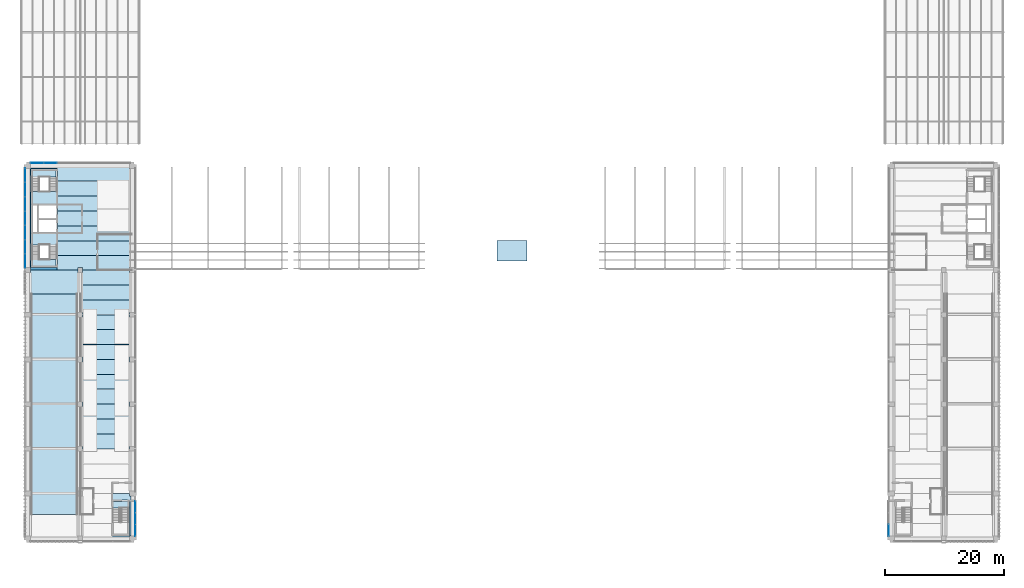
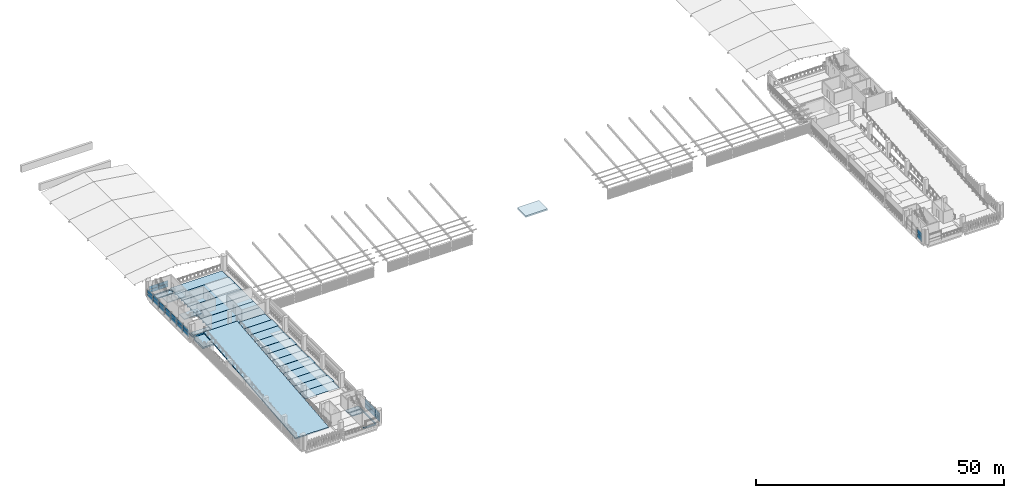
# One storey, part 21 of 52: 29 slabs, 26 plates, 6 elements without a shape of their own.
"""IFC4 building model written with IfcOpenShell, lengths in metres."""

from ifc_helpers import new_model, si_unit, direction, frame, origin, origin_2d, place, context, subcontext, project, spatial, polyline, rectangle, outline, extrude, material, layer, layer_set, material_profile, profile_set, type_object, element, aggregate, save


model = new_model("IFC4")

# Units and contexts
model_context = context("Model", 3, precision=1e-05, world=origin(), true_north=direction((0.0, 1.0)))
body_context = subcontext(model_context, "Body", "Model", "MODEL_VIEW")
ifc_project = project(units=[si_unit("LENGTHUNIT", "METRE"), si_unit("AREAUNIT", "SQUARE_METRE"), si_unit("VOLUMEUNIT", "CUBIC_METRE"), si_unit("PLANEANGLEUNIT", "RADIAN"), si_unit("MASSUNIT", "GRAM", prefix="KILO")], contexts=[model_context])

# Site, building, storey
site_placement = place(None, origin())
site = spatial("IfcSite", under=ifc_project, at=site_placement, CompositionType="ELEMENT")
building_placement = place(site_placement, origin())
building = spatial("IfcBuilding", under=site, at=building_placement, Name="Cour d'Honneur Mobility Palace", CompositionType="ELEMENT")
storey_placement = place(building_placement, frame((0.0, 0.0, 23.0)))
storey = spatial("IfcBuildingStorey", under=building, at=storey_placement, Name="L06", CompositionType="ELEMENT", Elevation=23.0)

# Slabs
ifc_material_1 = material(Name="Concrete C50", Category="concrete")
ifc_layer_1 = layer(ifc_material_1, 0.25)
ifc_layer_set_1 = layer_set([ifc_layer_1], Name="Concrete C50")
slab_type_1 = type_object("IfcSlabType", Name="Cast-in-place Slab 250", PredefinedType="FLOOR", material=ifc_layer_set_1)
slab_1_placement = place(storey_placement, frame((0.0, 0.0, -0.25)))
element("IfcSlab", 1, at=slab_1_placement, inside=storey, type_object=slab_type_1, Name="Cast-in-place slab S1 L06 core", PredefinedType="FLOOR", context=body_context, shape_type="SweptSolid", body=[
    extrude(outline(polyline([(0.39990234375, 45.39990234375), (0.25, 45.39990234375), (0.25, 62.0), (0.39990234375, 62.0), (0.39990234375, 62.125), (4.800048828125, 62.125), (4.800048828125, 61.949951171875), (0.449951171875, 61.949951171875), (0.449951171875, 45.449951171875), (4.800048828125, 45.449951171875), (4.800048828125, 45.0), (0.39990234375, 45.0), (0.39990234375, 45.39990234375)])), origin(), (0.0, 0.0, 1.0), 0.25),
])
slab_2_placement = place(storey_placement, frame((0.0, 0.0, -0.25)))
element("IfcSlab", 2, at=slab_2_placement, inside=storey, type_object=slab_type_1, Name="Cast-in-place slab S1 L06 core", PredefinedType="FLOOR", context=body_context, shape_type="SweptSolid", body=[
    extrude(outline(polyline([(0.699951171875, 45.699951171875), (0.699951171875, 46.77490234375), (4.675048828125, 46.77490234375), (4.675048828125, 45.699951171875), (0.699951171875, 45.699951171875)])), origin(), (0.0, 0.0, 1.0), 0.25),
])
slab_3_placement = place(storey_placement, frame((0.0, 0.0, -0.25)))
element("IfcSlab", 3, at=slab_3_placement, inside=storey, type_object=slab_type_1, Name="Cast-in-place slab S1 L06 core", PredefinedType="FLOOR", context=body_context, shape_type="SweptSolid", body=[
    extrude(outline(polyline([(4.675048828125, 60.625), (0.699951171875, 60.625), (0.699951171875, 61.699951171875), (4.675048828125, 61.699951171875), (4.675048828125, 60.625)])), origin(), (0.0, 0.0, 1.0), 0.25),
])
slab_4_placement = place(storey_placement, frame((0.0, 0.0, -0.25)))
element("IfcSlab", 4, at=slab_4_placement, inside=storey, type_object=slab_type_1, Name="Cast-in-place slab S1 L06 stair strip", PredefinedType="FLOOR", context=body_context, shape_type="SweptSolid", body=[
    extrude(outline(polyline([(17.0, 7.10009765625), (17.199951171875, 7.10009765625), (17.199951171875, 0.39990234375), (17.0, 0.39990234375), (17.0, 0.22509765625), (14.10009765625, 0.22509765625), (14.10009765625, 0.449951171875), (16.949951171875, 0.449951171875), (16.949951171875, 6.425048828125), (14.10009765625, 6.425048828125), (14.10009765625, 7.5), (17.0, 7.5), (17.0, 7.10009765625)])), origin(), (0.0, 0.0, 1.0), 0.25),
])
slab_5_placement = place(storey_placement, frame((0.0, 0.0, -0.25)))
element("IfcSlab", 5, at=slab_5_placement, inside=storey, type_object=slab_type_1, Name="Cast-in-place slab S1 L06 stair strip", PredefinedType="FLOOR", context=body_context, shape_type="SweptSolid", body=[
    extrude(outline(polyline([(14.22509765625, 5.10009765625), (14.22509765625, 6.175048828125), (16.699951171875, 6.175048828125), (16.699951171875, 5.10009765625), (14.22509765625, 5.10009765625)])), origin(), (0.0, 0.0, 1.0), 0.25),
])
ifc_material_2 = material(Name="Concrete C50", Category="concrete")
ifc_layer_2 = layer(ifc_material_2, 0.39990234375)
ifc_layer_set_2 = layer_set([ifc_layer_2], Name="Concrete C50")
slab_type_2 = type_object("IfcSlabType", Name="Cast-in-place Slab 400", PredefinedType="LANDING", material=ifc_layer_set_2)
slab_6_placement = place(storey_placement, frame((0.0, 0.0, -0.39990234375)))
element("IfcSlab", 6, at=slab_6_placement, inside=storey, type_object=slab_type_2, Name="Cast-in-place slab S3 L06 landing", PredefinedType="LANDING", context=body_context, shape_type="SweptSolid", body=[
    extrude(outline(polyline([(8.5, 44.60009765625), (8.5, 41.0), (0.199951171875, 41.0), (0.199951171875, 44.60009765625), (0.39990234375, 44.60009765625), (0.39990234375, 45.0), (8.300048828125, 45.0), (8.300048828125, 44.60009765625), (8.5, 44.60009765625)])), origin(), (0.0, 0.0, 1.0), 0.39990234375),
])
ifc_material_3 = material(Name="Concrete C50", Category="concrete")
ifc_layer_3 = layer(ifc_material_3, 0.800048828125)
ifc_layer_set_3 = layer_set([ifc_layer_3], Name="Concrete C50")
slab_type_3 = type_object("IfcSlabType", Name="Cast-in-place Slab 800", PredefinedType="FLOOR", material=ifc_layer_set_3)
slab_7_placement = place(storey_placement, frame((0.0, 0.0, -0.800048828125)))
element("IfcSlab", 7, at=slab_7_placement, inside=storey, type_object=slab_type_3, Name="Cast-in-place slab S2 L06 closure", PredefinedType="FLOOR", context=body_context, shape_type="SweptSolid", body=[
    extrude(outline(polyline([(17.0, 45.39990234375), (17.0, 45.0), (9.10009765625, 45.0), (9.10009765625, 45.39990234375), (8.300048828125, 45.39990234375), (8.300048828125, 45.0), (4.800048828125, 45.0), (4.800048828125, 45.449951171875), (4.925048828125, 45.449951171875), (4.925048828125, 47.39990234375), (17.14990234375, 47.39990234375), (17.14990234375, 45.39990234375), (17.0, 45.39990234375)])), origin(), (0.0, 0.0, 1.0), 0.800048828125),
])

# Curtain wall, plates
ifc_material_4 = material(Name="Aluminium and glass", Category="aluminium")
ifc_layer_4 = layer(ifc_material_4, 0.10009765625)
ifc_layer_set_4 = layer_set([ifc_layer_4], Name="Aluminium and glass")
curtain_wall_type = type_object("IfcCurtainWallType", Name="Curtain wall run", PredefinedType="NOTDEFINED", material=ifc_layer_set_4)
curtain_wall_1_placement = place(storey_placement, origin())
curtain_wall_1 = element("IfcCurtainWall", 8, at=curtain_wall_1_placement, inside=storey, type_object=curtain_wall_type, Name="Curtain wall CW-106", PredefinedType="NOTDEFINED")
ifc_material_5 = material(Name="Double glazing", Category="glass")
ifc_layer_5 = layer(ifc_material_5, 0.028076171875)
ifc_layer_set_5 = layer_set([ifc_layer_5], Name="Double glazing")
plate_type = type_object("IfcPlateType", Name="Curtain wall panel", PredefinedType="CURTAIN_PANEL", material=ifc_layer_set_5)
plate_1_placement = place(storey_placement, frame((3.659912109375, 62.949951171875, 0.06005859375), z_axis=(0.0, 0.0, 1.0), x_axis=(-1.0, 0.0, 0.0)))
plate_1 = element("IfcPlate", 9, at=plate_1_placement, type_object=plate_type, Name="CW-106 panel 1.1", PredefinedType="CURTAIN_PANEL", context=body_context, shape_type="SweptSolid", body=[
    extrude(rectangle(XDim=2.159912109375, YDim=0.028076171875, at=origin_2d()), origin(), (0.0, 0.0, 1.0), 0.760009765625),
])
plate_2_placement = place(storey_placement, frame((3.659912109375, 62.949951171875, 0.8798828125), z_axis=(0.0, 0.0, 1.0), x_axis=(-1.0, 0.0, 0.0)))
plate_2 = element("IfcPlate", 10, at=plate_2_placement, type_object=plate_type, Name="CW-106 panel 1.2", PredefinedType="CURTAIN_PANEL", context=body_context, shape_type="SweptSolid", body=[
    extrude(rectangle(XDim=2.159912109375, YDim=0.028076171875, at=origin_2d()), origin(), (0.0, 0.0, 1.0), 0.760009765625),
])
plate_3_placement = place(storey_placement, frame((1.43994140625, 62.949951171875, 0.06005859375), z_axis=(0.0, 0.0, 1.0), x_axis=(-1.0, 0.0, 0.0)))
plate_3 = element("IfcPlate", 11, at=plate_3_placement, type_object=plate_type, Name="CW-106 panel 2.1", PredefinedType="CURTAIN_PANEL", context=body_context, shape_type="SweptSolid", body=[
    extrude(rectangle(XDim=2.159912109375, YDim=0.028076171875, at=origin_2d()), origin(), (0.0, 0.0, 1.0), 0.760009765625),
])
plate_4_placement = place(storey_placement, frame((1.43994140625, 62.949951171875, 0.8798828125), z_axis=(0.0, 0.0, 1.0), x_axis=(-1.0, 0.0, 0.0)))
plate_4 = element("IfcPlate", 12, at=plate_4_placement, type_object=plate_type, Name="CW-106 panel 2.2", PredefinedType="CURTAIN_PANEL", context=body_context, shape_type="SweptSolid", body=[
    extrude(rectangle(XDim=2.159912109375, YDim=0.028076171875, at=origin_2d()), origin(), (0.0, 0.0, 1.0), 0.760009765625),
])
aggregate(curtain_wall_1, [plate_1, plate_2, plate_3, plate_4])

curtain_wall_2_placement = place(storey_placement, origin())
curtain_wall_2 = element("IfcCurtainWall", 13, at=curtain_wall_2_placement, inside=storey, type_object=curtain_wall_type, Name="Curtain wall CW-107", PredefinedType="NOTDEFINED")
plate_5_placement = place(storey_placement, frame((-0.550048828125, 60.885009765625, 0.06005859375), z_axis=(0.0, 0.0, 1.0), x_axis=(0.0, -1.0, 0.0)))
plate_5 = element("IfcPlate", 14, at=plate_5_placement, type_object=plate_type, Name="CW-107 panel 1.1", PredefinedType="CURTAIN_PANEL", context=body_context, shape_type="SweptSolid", body=[
    extrude(rectangle(XDim=2.31005859375, YDim=0.028076171875, at=origin_2d()), origin(), (0.0, 0.0, 1.0), 0.860107421875),
])
plate_6_placement = place(storey_placement, frame((-0.550048828125, 60.885009765625, 0.97998046875), z_axis=(0.0, 0.0, 1.0), x_axis=(0.0, -1.0, 0.0)))
plate_6 = element("IfcPlate", 15, at=plate_6_placement, type_object=plate_type, Name="CW-107 panel 1.2", PredefinedType="CURTAIN_PANEL", context=body_context, shape_type="SweptSolid", body=[
    extrude(rectangle(XDim=2.31005859375, YDim=0.028076171875, at=origin_2d()), origin(), (0.0, 0.0, 1.0), 0.860107421875),
])
plate_7_placement = place(storey_placement, frame((-0.550048828125, 58.5, 0.06005859375), z_axis=(0.0, 0.0, 1.0), x_axis=(0.0, -1.0, 0.0)))
plate_7 = element("IfcPlate", 16, at=plate_7_placement, type_object=plate_type, Name="CW-107 panel 2.1", PredefinedType="CURTAIN_PANEL", context=body_context, shape_type="SweptSolid", body=[
    extrude(rectangle(XDim=2.340087890625, YDim=0.028076171875, at=origin_2d()), origin(), (0.0, 0.0, 1.0), 0.860107421875),
])
plate_8_placement = place(storey_placement, frame((-0.550048828125, 58.5, 0.97998046875), z_axis=(0.0, 0.0, 1.0), x_axis=(0.0, -1.0, 0.0)))
plate_8 = element("IfcPlate", 17, at=plate_8_placement, type_object=plate_type, Name="CW-107 panel 2.2", PredefinedType="CURTAIN_PANEL", context=body_context, shape_type="SweptSolid", body=[
    extrude(rectangle(XDim=2.340087890625, YDim=0.028076171875, at=origin_2d()), origin(), (0.0, 0.0, 1.0), 0.860107421875),
])
plate_9_placement = place(storey_placement, frame((-0.550048828125, 56.10009765625, 0.06005859375), z_axis=(0.0, 0.0, 1.0), x_axis=(0.0, -1.0, 0.0)))
plate_9 = element("IfcPlate", 18, at=plate_9_placement, type_object=plate_type, Name="CW-107 panel 3.1", PredefinedType="CURTAIN_PANEL", context=body_context, shape_type="SweptSolid", body=[
    extrude(rectangle(XDim=2.340087890625, YDim=0.028076171875, at=origin_2d()), origin(), (0.0, 0.0, 1.0), 0.860107421875),
])
plate_10_placement = place(storey_placement, frame((-0.550048828125, 56.10009765625, 0.97998046875), z_axis=(0.0, 0.0, 1.0), x_axis=(0.0, -1.0, 0.0)))
plate_10 = element("IfcPlate", 19, at=plate_10_placement, type_object=plate_type, Name="CW-107 panel 3.2", PredefinedType="CURTAIN_PANEL", context=body_context, shape_type="SweptSolid", body=[
    extrude(rectangle(XDim=2.340087890625, YDim=0.028076171875, at=origin_2d()), origin(), (0.0, 0.0, 1.0), 0.860107421875),
])
plate_11_placement = place(storey_placement, frame((-0.550048828125, 53.699951171875, 0.06005859375), z_axis=(0.0, 0.0, 1.0), x_axis=(0.0, -1.0, 0.0)))
plate_11 = element("IfcPlate", 20, at=plate_11_placement, type_object=plate_type, Name="CW-107 panel 4.1", PredefinedType="CURTAIN_PANEL", context=body_context, shape_type="SweptSolid", body=[
    extrude(rectangle(XDim=2.340087890625, YDim=0.028076171875, at=origin_2d()), origin(), (0.0, 0.0, 1.0), 0.860107421875),
])
plate_12_placement = place(storey_placement, frame((-0.550048828125, 53.699951171875, 0.97998046875), z_axis=(0.0, 0.0, 1.0), x_axis=(0.0, -1.0, 0.0)))
plate_12 = element("IfcPlate", 21, at=plate_12_placement, type_object=plate_type, Name="CW-107 panel 4.2", PredefinedType="CURTAIN_PANEL", context=body_context, shape_type="SweptSolid", body=[
    extrude(rectangle(XDim=2.340087890625, YDim=0.028076171875, at=origin_2d()), origin(), (0.0, 0.0, 1.0), 0.860107421875),
])
plate_13_placement = place(storey_placement, frame((-0.550048828125, 51.300048828125, 0.06005859375), z_axis=(0.0, 0.0, 1.0), x_axis=(0.0, -1.0, 0.0)))
plate_13 = element("IfcPlate", 22, at=plate_13_placement, type_object=plate_type, Name="CW-107 panel 5.1", PredefinedType="CURTAIN_PANEL", context=body_context, shape_type="SweptSolid", body=[
    extrude(rectangle(XDim=2.340087890625, YDim=0.028076171875, at=origin_2d()), origin(), (0.0, 0.0, 1.0), 0.860107421875),
])
plate_14_placement = place(storey_placement, frame((-0.550048828125, 51.300048828125, 0.97998046875), z_axis=(0.0, 0.0, 1.0), x_axis=(0.0, -1.0, 0.0)))
plate_14 = element("IfcPlate", 23, at=plate_14_placement, type_object=plate_type, Name="CW-107 panel 5.2", PredefinedType="CURTAIN_PANEL", context=body_context, shape_type="SweptSolid", body=[
    extrude(rectangle(XDim=2.340087890625, YDim=0.028076171875, at=origin_2d()), origin(), (0.0, 0.0, 1.0), 0.860107421875),
])
plate_15_placement = place(storey_placement, frame((-0.550048828125, 48.89990234375, 0.06005859375), z_axis=(0.0, 0.0, 1.0), x_axis=(0.0, -1.0, 0.0)))
plate_15 = element("IfcPlate", 24, at=plate_15_placement, type_object=plate_type, Name="CW-107 panel 6.1", PredefinedType="CURTAIN_PANEL", context=body_context, shape_type="SweptSolid", body=[
    extrude(rectangle(XDim=2.340087890625, YDim=0.028076171875, at=origin_2d()), origin(), (0.0, 0.0, 1.0), 0.860107421875),
])
plate_16_placement = place(storey_placement, frame((-0.550048828125, 48.89990234375, 0.97998046875), z_axis=(0.0, 0.0, 1.0), x_axis=(0.0, -1.0, 0.0)))
plate_16 = element("IfcPlate", 25, at=plate_16_placement, type_object=plate_type, Name="CW-107 panel 6.2", PredefinedType="CURTAIN_PANEL", context=body_context, shape_type="SweptSolid", body=[
    extrude(rectangle(XDim=2.340087890625, YDim=0.028076171875, at=origin_2d()), origin(), (0.0, 0.0, 1.0), 0.860107421875),
])
plate_17_placement = place(storey_placement, frame((-0.550048828125, 46.514892578125, 0.06005859375), z_axis=(0.0, 0.0, 1.0), x_axis=(0.0, -1.0, 0.0)))
plate_17 = element("IfcPlate", 26, at=plate_17_placement, type_object=plate_type, Name="CW-107 panel 7.1", PredefinedType="CURTAIN_PANEL", context=body_context, shape_type="SweptSolid", body=[
    extrude(rectangle(XDim=2.31005859375, YDim=0.028076171875, at=origin_2d()), origin(), (0.0, 0.0, 1.0), 0.860107421875),
])
plate_18_placement = place(storey_placement, frame((-0.550048828125, 46.514892578125, 0.97998046875), z_axis=(0.0, 0.0, 1.0), x_axis=(0.0, -1.0, 0.0)))
plate_18 = element("IfcPlate", 27, at=plate_18_placement, type_object=plate_type, Name="CW-107 panel 7.2", PredefinedType="CURTAIN_PANEL", context=body_context, shape_type="SweptSolid", body=[
    extrude(rectangle(XDim=2.31005859375, YDim=0.028076171875, at=origin_2d()), origin(), (0.0, 0.0, 1.0), 0.860107421875),
])
aggregate(curtain_wall_2, [plate_5, plate_6, plate_7, plate_8, plate_9, plate_10, plate_11, plate_12, plate_13, plate_14, plate_15, plate_16, plate_17, plate_18])

curtain_wall_3_placement = place(storey_placement, origin())
curtain_wall_3 = element("IfcCurtainWall", 28, at=curtain_wall_3_placement, inside=storey, type_object=curtain_wall_type, Name="Curtain wall CW-146", PredefinedType="NOTDEFINED")
plate_19_placement = place(storey_placement, frame((144.35009765625, 1.31494140625, 0.06005859375), z_axis=(0.0, 0.0, 1.0), x_axis=(0.0, -1.0, 0.0)))
plate_19 = element("IfcPlate", 29, at=plate_19_placement, type_object=plate_type, Name="CW-146 panel 3.1", PredefinedType="CURTAIN_PANEL", context=body_context, shape_type="SweptSolid", body=[
    extrude(rectangle(XDim=1.909912109375, YDim=0.028076171875, at=origin_2d()), origin(), (0.0, 0.0, 1.0), 1.06005859375),
])
plate_20_placement = place(storey_placement, frame((144.35009765625, 1.31494140625, 1.179931640625), z_axis=(0.0, 0.0, 1.0), x_axis=(0.0, -1.0, 0.0)))
plate_20 = element("IfcPlate", 30, at=plate_20_placement, type_object=plate_type, Name="CW-146 panel 3.2", PredefinedType="CURTAIN_PANEL", context=body_context, shape_type="SweptSolid", body=[
    extrude(rectangle(XDim=1.909912109375, YDim=0.028076171875, at=origin_2d()), origin(), (0.0, 0.0, 1.0), 1.06005859375),
])
aggregate(curtain_wall_3, [plate_19, plate_20])

curtain_wall_4_placement = place(storey_placement, origin())
curtain_wall_4 = element("IfcCurtainWall", 31, at=curtain_wall_4_placement, inside=storey, type_object=curtain_wall_type, Name="Curtain wall CW-164", PredefinedType="NOTDEFINED")
plate_21_placement = place(storey_placement, frame((17.949951171875, 1.31494140625, 0.06005859375), z_axis=(0.0, 0.0, 1.0), x_axis=(0.0, 1.0, 0.0)))
plate_21 = element("IfcPlate", 32, at=plate_21_placement, type_object=plate_type, Name="CW-164 panel 1.1", PredefinedType="CURTAIN_PANEL", context=body_context, shape_type="SweptSolid", body=[
    extrude(rectangle(XDim=1.909912109375, YDim=0.028076171875, at=origin_2d()), origin(), (0.0, 0.0, 1.0), 1.06005859375),
])
plate_22_placement = place(storey_placement, frame((17.949951171875, 1.31494140625, 1.179931640625), z_axis=(0.0, 0.0, 1.0), x_axis=(0.0, 1.0, 0.0)))
plate_22 = element("IfcPlate", 33, at=plate_22_placement, type_object=plate_type, Name="CW-164 panel 1.2", PredefinedType="CURTAIN_PANEL", context=body_context, shape_type="SweptSolid", body=[
    extrude(rectangle(XDim=1.909912109375, YDim=0.028076171875, at=origin_2d()), origin(), (0.0, 0.0, 1.0), 1.06005859375),
])
plate_23_placement = place(storey_placement, frame((17.949951171875, 3.300048828125, 0.06005859375), z_axis=(0.0, 0.0, 1.0), x_axis=(0.0, 1.0, 0.0)))
plate_23 = element("IfcPlate", 34, at=plate_23_placement, type_object=plate_type, Name="CW-164 panel 2.1", PredefinedType="CURTAIN_PANEL", context=body_context, shape_type="SweptSolid", body=[
    extrude(rectangle(XDim=1.93994140625, YDim=0.028076171875, at=origin_2d()), origin(), (0.0, 0.0, 1.0), 1.06005859375),
])
plate_24_placement = place(storey_placement, frame((17.949951171875, 3.300048828125, 1.179931640625), z_axis=(0.0, 0.0, 1.0), x_axis=(0.0, 1.0, 0.0)))
plate_24 = element("IfcPlate", 35, at=plate_24_placement, type_object=plate_type, Name="CW-164 panel 2.2", PredefinedType="CURTAIN_PANEL", context=body_context, shape_type="SweptSolid", body=[
    extrude(rectangle(XDim=1.93994140625, YDim=0.028076171875, at=origin_2d()), origin(), (0.0, 0.0, 1.0), 1.06005859375),
])
plate_25_placement = place(storey_placement, frame((17.949951171875, 5.284912109375, 0.06005859375), z_axis=(0.0, 0.0, 1.0), x_axis=(0.0, 1.0, 0.0)))
plate_25 = element("IfcPlate", 36, at=plate_25_placement, type_object=plate_type, Name="CW-164 panel 3.1", PredefinedType="CURTAIN_PANEL", context=body_context, shape_type="SweptSolid", body=[
    extrude(rectangle(XDim=1.909912109375, YDim=0.028076171875, at=origin_2d()), origin(), (0.0, 0.0, 1.0), 1.06005859375),
])
plate_26_placement = place(storey_placement, frame((17.949951171875, 5.284912109375, 1.179931640625), z_axis=(0.0, 0.0, 1.0), x_axis=(0.0, 1.0, 0.0)))
plate_26 = element("IfcPlate", 37, at=plate_26_placement, type_object=plate_type, Name="CW-164 panel 3.2", PredefinedType="CURTAIN_PANEL", context=body_context, shape_type="SweptSolid", body=[
    extrude(rectangle(XDim=1.909912109375, YDim=0.028076171875, at=origin_2d()), origin(), (0.0, 0.0, 1.0), 1.06005859375),
])
aggregate(curtain_wall_4, [plate_21, plate_22, plate_23, plate_24, plate_25, plate_26])

# Slabs
ifc_material_6 = material(Name="Concrete C45", Category="concrete")
ifc_material_profile_1 = material_profile(ifc_material_6, outline(polyline([(-1.2451171875, 0.0), (1.2451171875, 0.0), (1.2451171875, -0.10009765625), (0.669921875, -0.10009765625), (0.64501953125, -0.5), (0.554931640625, -0.5), (0.530029296875, -0.10009765625), (-0.530029296875, -0.10009765625), (-0.554931640625, -0.5), (-0.64501953125, -0.5), (-0.669921875, -0.10009765625), (-1.2451171875, -0.10009765625), (-1.2451171875, 0.0)])), Name="DT 2490x500")
ifc_profile_set_1 = profile_set([ifc_material_profile_1], Name="Concrete C45")
slab_type_4 = type_object("IfcSlabType", Name="DT 2490x500", PredefinedType="FLOOR", material=ifc_profile_set_1)
slab_8_placement = place(storey_placement, frame((9.10009765625, 16.25, 0.0), z_axis=(1.0, 0.0, 0.0), x_axis=(0.0, 1.0, 0.0)))
element("IfcSlab", 38, at=slab_8_placement, inside=storey, type_object=slab_type_4, Name="Double tee DT-SW7 L06", PredefinedType="FLOOR", context=body_context, shape_type="SweptSolid", body=[
    extrude(outline(polyline([(-1.2451171875, 0.0), (1.2451171875, 0.0), (1.2451171875, -0.10009765625), (0.669921875, -0.10009765625), (0.64501953125, -0.5), (0.554931640625, -0.5), (0.530029296875, -0.10009765625), (-0.530029296875, -0.10009765625), (-0.554931640625, -0.5), (-0.64501953125, -0.5), (-0.669921875, -0.10009765625), (-1.2451171875, -0.10009765625), (-1.2451171875, 0.0)])), origin(), (0.0, 0.0, 1.0), 7.89990234375),
])
slab_9_placement = place(storey_placement, frame((8.89990234375, 18.75, 0.0), z_axis=(1.0, 0.0, 0.0), x_axis=(0.0, 1.0, 0.0)))
element("IfcSlab", 39, at=slab_9_placement, inside=storey, type_object=slab_type_4, Name="Double tee DT-SW8 L06", PredefinedType="FLOOR", context=body_context, shape_type="SweptSolid", body=[
    extrude(outline(polyline([(-1.2451171875, 0.0), (1.2451171875, 0.0), (1.2451171875, -0.10009765625), (0.669921875, -0.10009765625), (0.64501953125, -0.5), (0.554931640625, -0.5), (0.530029296875, -0.10009765625), (-0.530029296875, -0.10009765625), (-0.554931640625, -0.5), (-0.64501953125, -0.5), (-0.669921875, -0.10009765625), (-1.2451171875, -0.10009765625), (-1.2451171875, 0.0)])), origin(), (0.0, 0.0, 1.0), 8.300048828125),
])
for number, where, z_axis, x_axis, name in (
    (40, (9.10009765625, 21.25, 0.0), (1.0, 0.0, 0.0), (0.0, 1.0, 0.0), "Double tee DT-SW9 L06"),
    (41, (9.10009765625, 23.75, 0.0), (1.0, 0.0, 0.0), (0.0, 1.0, 0.0), "Double tee DT-SW10 L06"),
):
    element("IfcSlab", number, at=place(storey_placement, frame(where, z_axis=z_axis, x_axis=x_axis)), inside=storey, type_object=slab_type_4, Name=name, PredefinedType="FLOOR", context=body_context, shape_type="SweptSolid", body=[
        extrude(outline(polyline([(-1.2451171875, 0.0), (1.2451171875, 0.0), (1.2451171875, -0.10009765625), (0.669921875, -0.10009765625), (0.64501953125, -0.5), (0.554931640625, -0.5), (0.530029296875, -0.10009765625), (-0.530029296875, -0.10009765625), (-0.554931640625, -0.5), (-0.64501953125, -0.5), (-0.669921875, -0.10009765625), (-1.2451171875, -0.10009765625), (-1.2451171875, 0.0)])), origin(), (0.0, 0.0, 1.0), 7.89990234375),
    ])
slab_10_placement = place(storey_placement, frame((8.89990234375, 26.25, 0.0), z_axis=(1.0, 0.0, 0.0), x_axis=(0.0, 1.0, 0.0)))
element("IfcSlab", 42, at=slab_10_placement, inside=storey, type_object=slab_type_4, Name="Double tee DT-SW11 L06", PredefinedType="FLOOR", context=body_context, shape_type="SweptSolid", body=[
    extrude(outline(polyline([(-1.2451171875, 0.0), (1.2451171875, 0.0), (1.2451171875, -0.10009765625), (0.669921875, -0.10009765625), (0.64501953125, -0.5), (0.554931640625, -0.5), (0.530029296875, -0.10009765625), (-0.530029296875, -0.10009765625), (-0.554931640625, -0.5), (-0.64501953125, -0.5), (-0.669921875, -0.10009765625), (-1.2451171875, -0.10009765625), (-1.2451171875, 0.0)])), origin(), (0.0, 0.0, 1.0), 8.300048828125),
])
for number, where, z_axis, x_axis, name in (
    (43, (9.10009765625, 28.75, 0.0), (1.0, 0.0, 0.0), (0.0, 1.0, 0.0), "Double tee DT-SW12 L06"),
    (44, (9.10009765625, 31.25, 0.0), (1.0, 0.0, 0.0), (0.0, 1.0, 0.0), "Double tee DT-SW13 L06"),
):
    element("IfcSlab", number, at=place(storey_placement, frame(where, z_axis=z_axis, x_axis=x_axis)), inside=storey, type_object=slab_type_4, Name=name, PredefinedType="FLOOR", context=body_context, shape_type="SweptSolid", body=[
        extrude(outline(polyline([(-1.2451171875, 0.0), (1.2451171875, 0.0), (1.2451171875, -0.10009765625), (0.669921875, -0.10009765625), (0.64501953125, -0.5), (0.554931640625, -0.5), (0.530029296875, -0.10009765625), (-0.530029296875, -0.10009765625), (-0.554931640625, -0.5), (-0.64501953125, -0.5), (-0.669921875, -0.10009765625), (-1.2451171875, -0.10009765625), (-1.2451171875, 0.0)])), origin(), (0.0, 0.0, 1.0), 7.89990234375),
    ])
slab_11_placement = place(storey_placement, frame((8.89990234375, 33.75, 0.0), z_axis=(1.0, 0.0, 0.0), x_axis=(0.0, 1.0, 0.0)))
element("IfcSlab", 45, at=slab_11_placement, inside=storey, type_object=slab_type_4, Name="Double tee DT-SW14 L06", PredefinedType="FLOOR", context=body_context, shape_type="SweptSolid", body=[
    extrude(outline(polyline([(-1.2451171875, 0.0), (1.2451171875, 0.0), (1.2451171875, -0.10009765625), (0.669921875, -0.10009765625), (0.64501953125, -0.5), (0.554931640625, -0.5), (0.530029296875, -0.10009765625), (-0.530029296875, -0.10009765625), (-0.554931640625, -0.5), (-0.64501953125, -0.5), (-0.669921875, -0.10009765625), (-1.2451171875, -0.10009765625), (-1.2451171875, 0.0)])), origin(), (0.0, 0.0, 1.0), 8.300048828125),
])
for number, where, z_axis, x_axis, name in (
    (46, (9.10009765625, 36.25, 0.0), (1.0, 0.0, 0.0), (0.0, 1.0, 0.0), "Double tee DT-SW15 L06"),
    (47, (9.10009765625, 38.75, 0.0), (1.0, 0.0, 0.0), (0.0, 1.0, 0.0), "Double tee DT-SW16 L06"),
):
    element("IfcSlab", number, at=place(storey_placement, frame(where, z_axis=z_axis, x_axis=x_axis)), inside=storey, type_object=slab_type_4, Name=name, PredefinedType="FLOOR", context=body_context, shape_type="SweptSolid", body=[
        extrude(outline(polyline([(-1.2451171875, 0.0), (1.2451171875, 0.0), (1.2451171875, -0.10009765625), (0.669921875, -0.10009765625), (0.64501953125, -0.5), (0.554931640625, -0.5), (0.530029296875, -0.10009765625), (-0.530029296875, -0.10009765625), (-0.554931640625, -0.5), (-0.64501953125, -0.5), (-0.669921875, -0.10009765625), (-1.2451171875, -0.10009765625), (-1.2451171875, 0.0)])), origin(), (0.0, 0.0, 1.0), 7.89990234375),
    ])
slab_12_placement = place(storey_placement, frame((8.89990234375, 41.25, 0.0), z_axis=(1.0, 0.0, 0.0), x_axis=(0.0, 1.0, 0.0)))
element("IfcSlab", 48, at=slab_12_placement, inside=storey, type_object=slab_type_4, Name="Double tee DT-SW17 L06", PredefinedType="FLOOR", context=body_context, shape_type="SweptSolid", body=[
    extrude(outline(polyline([(-1.2451171875, 0.0), (1.2451171875, 0.0), (1.2451171875, -0.10009765625), (0.669921875, -0.10009765625), (0.64501953125, -0.5), (0.554931640625, -0.5), (0.530029296875, -0.10009765625), (-0.530029296875, -0.10009765625), (-0.554931640625, -0.5), (-0.64501953125, -0.5), (-0.669921875, -0.10009765625), (-1.2451171875, -0.10009765625), (-1.2451171875, 0.0)])), origin(), (0.0, 0.0, 1.0), 8.300048828125),
])
slab_13_placement = place(storey_placement, frame((9.10009765625, 43.75, 0.0), z_axis=(1.0, 0.0, 0.0), x_axis=(0.0, 1.0, 0.0)))
element("IfcSlab", 49, at=slab_13_placement, inside=storey, type_object=slab_type_4, Name="Double tee DT-SW18 L06", PredefinedType="FLOOR", context=body_context, shape_type="SweptSolid", body=[
    extrude(outline(polyline([(-1.2451171875, 0.0), (1.2451171875, 0.0), (1.2451171875, -0.10009765625), (0.669921875, -0.10009765625), (0.64501953125, -0.5), (0.554931640625, -0.5), (0.530029296875, -0.10009765625), (-0.530029296875, -0.10009765625), (-0.554931640625, -0.5), (-0.64501953125, -0.5), (-0.669921875, -0.10009765625), (-1.2451171875, -0.10009765625), (-1.2451171875, 0.0)])), origin(), (0.0, 0.0, 1.0), 7.89990234375),
])
ifc_material_7 = material(Name="Concrete C45", Category="concrete")
ifc_material_profile_2 = material_profile(ifc_material_7, outline(polyline([(-1.2451171875, 0.0), (1.2451171875, 0.0), (1.2451171875, -0.10009765625), (0.679931640625, -0.10009765625), (0.64990234375, -0.64990234375), (0.550048828125, -0.64990234375), (0.52001953125, -0.10009765625), (-0.52001953125, -0.10009765625), (-0.550048828125, -0.64990234375), (-0.64990234375, -0.64990234375), (-0.679931640625, -0.10009765625), (-1.2451171875, -0.10009765625), (-1.2451171875, 0.0)])), Name="DT 2490x650")
ifc_profile_set_2 = profile_set([ifc_material_profile_2], Name="Concrete C45")
slab_type_5 = type_object("IfcSlabType", Name="DT 2490x650", PredefinedType="FLOOR", material=ifc_profile_set_2)
for number, where, z_axis, x_axis, name in (
    (50, (4.925048828125, 48.64990234375, 0.0), (1.0, 0.0, 0.0), (0.0, 1.0, 0.0), "Double tee DT-JW1 L06"),
    (51, (4.925048828125, 51.14990234375, 0.0), (1.0, 0.0, 0.0), (0.0, 1.0, 0.0), "Double tee DT-JW2 L06"),
    (52, (4.925048828125, 53.64990234375, 0.0), (1.0, 0.0, 0.0), (0.0, 1.0, 0.0), "Double tee DT-JW3 L06"),
    (53, (4.925048828125, 56.14990234375, 0.0), (1.0, 0.0, 0.0), (0.0, 1.0, 0.0), "Double tee DT-JW4 L06"),
    (54, (4.925048828125, 58.64990234375, 0.0), (1.0, 0.0, 0.0), (0.0, 1.0, 0.0), "Double tee DT-JW5 L06"),
):
    element("IfcSlab", number, at=place(storey_placement, frame(where, z_axis=z_axis, x_axis=x_axis)), inside=storey, type_object=slab_type_5, Name=name, PredefinedType="FLOOR", context=body_context, shape_type="SweptSolid", body=[
        extrude(outline(polyline([(-1.2451171875, 0.0), (1.2451171875, 0.0), (1.2451171875, -0.10009765625), (0.679931640625, -0.10009765625), (0.64990234375, -0.64990234375), (0.550048828125, -0.64990234375), (0.52001953125, -0.10009765625), (-0.52001953125, -0.10009765625), (-0.550048828125, -0.64990234375), (-0.64990234375, -0.64990234375), (-0.679931640625, -0.10009765625), (-1.2451171875, -0.10009765625), (-1.2451171875, 0.0)])), origin(), (0.0, 0.0, 1.0), 12.224853515625),
    ])
slab_14_placement = place(storey_placement, frame((4.925048828125, 61.14990234375, 0.0), z_axis=(1.0, 0.0, 0.0), x_axis=(0.0, 1.0, 0.0)))
element("IfcSlab", 55, at=slab_14_placement, inside=storey, type_object=slab_type_5, Name="Double tee DT-JW6 L06", PredefinedType="FLOOR", context=body_context, shape_type="SweptSolid", body=[
    extrude(outline(polyline([(-1.2451171875, 0.0), (1.2451171875, 0.0), (1.2451171875, -0.10009765625), (0.679931640625, -0.10009765625), (0.64990234375, -0.64990234375), (0.550048828125, -0.64990234375), (0.52001953125, -0.10009765625), (-0.52001953125, -0.10009765625), (-0.550048828125, -0.64990234375), (-0.64990234375, -0.64990234375), (-0.679931640625, -0.10009765625), (-1.2451171875, -0.10009765625), (-1.2451171875, 0.0)])), origin(), (0.0, 0.0, 1.0), 12.074951171875),
])
ifc_material_8 = material(Name="Concrete C50", Category="concrete")
ifc_layer_6 = layer(ifc_material_8, 0.35009765625)
ifc_layer_set_6 = layer_set([ifc_layer_6], Name="Concrete C50")
slab_type_6 = type_object("IfcSlabType", Name="Overrun Roof Slab 350", PredefinedType="ROOF", material=ifc_layer_set_6)
slab_15_placement = place(storey_placement, frame((0.0, 0.0, 1.25)))
element("IfcSlab", 56, at=slab_15_placement, inside=storey, type_object=slab_type_6, Name="Lift overrun roof CC", PredefinedType="ROOF", context=body_context, shape_type="SweptSolid", body=[
    extrude(outline(polyline([(78.625, 46.47509765625), (78.625, 49.925048828125), (83.675048828125, 49.925048828125), (83.675048828125, 46.47509765625), (78.625, 46.47509765625)])), origin(), (0.0, 0.0, 1.0), 0.35009765625),
])

# Stair, slab
ifc_material_9 = material(Name="Concrete C50", Category="concrete")
stair_type = type_object("IfcStairType", Name="Stair 20 risers", PredefinedType="HALF_TURN_STAIR", material=ifc_material_9)
stair_1_placement = place(storey_placement, origin())
stair_1 = element("IfcStair", 57, at=stair_1_placement, inside=storey, type_object=stair_type, Name="Stair ST-CW1", PredefinedType="HALF_TURN_STAIR")
ifc_material_10 = material(Name="Concrete C50", Category="concrete")
ifc_layer_7 = layer(ifc_material_10, 0.199951171875)
ifc_layer_set_7 = layer_set([ifc_layer_7], Name="Concrete C50")
slab_type_7 = type_object("IfcSlabType", Name="Stair landing", PredefinedType="LANDING", material=ifc_layer_set_7)
slab_16_placement = place(storey_placement, frame((0.0, 0.0, 1.64990234375)))
slab_16 = element("IfcSlab", 58, at=slab_16_placement, type_object=slab_type_7, Name="ST-CW1 landing 1", PredefinedType="LANDING", context=body_context, shape_type="SweptSolid", body=[
    extrude(outline(polyline([(0.574951171875, 49.205078125), (4.800048828125, 49.205078125), (4.800048828125, 51.199951171875), (0.574951171875, 51.199951171875), (0.574951171875, 49.205078125)])), origin(), (0.0, 0.0, 1.0), 0.2001953125),
])
aggregate(stair_1, [slab_16])

stair_2_placement = place(storey_placement, origin())
stair_2 = element("IfcStair", 59, at=stair_2_placement, inside=storey, type_object=stair_type, Name="Stair ST-CW2", PredefinedType="HALF_TURN_STAIR")
slab_17_placement = place(storey_placement, frame((0.0, 0.0, 1.64990234375)))
slab_17 = element("IfcSlab", 60, at=slab_17_placement, type_object=slab_type_7, Name="ST-CW2 landing 1", PredefinedType="LANDING", context=body_context, shape_type="SweptSolid", body=[
    extrude(outline(polyline([(0.574951171875, 56.0), (4.800048828125, 56.0), (4.800048828125, 58.195068359375), (0.574951171875, 58.195068359375), (0.574951171875, 56.0)])), origin(), (0.0, 0.0, 1.0), 0.2001953125),
])
aggregate(stair_2, [slab_17])

# Slab
ifc_material_11 = material(Name="Concrete C45", Category="concrete")
ifc_layer_8 = layer(ifc_material_11, 0.300048828125)
ifc_layer_set_8 = layer_set([ifc_layer_8], Name="Concrete C45")
slab_type_8 = type_object("IfcSlabType", Name="Vehicle ramp slab 300", PredefinedType="USERDEFINED", material=ifc_layer_set_8)
slab_18_placement = place(storey_placement, frame((0.39990234375, 4.0, 0.0), z_axis=(0.0, -0.099502418892, 0.995037320222), x_axis=(1.0, 0.0, 0.0)))
element("IfcSlab", 61, at=slab_18_placement, inside=storey, type_object=slab_type_8, Name="Vehicle ramp West 7 slab", ObjectType="VEHICLE RAMP SLAB", PredefinedType="USERDEFINED", context=body_context, shape_type="SweptSolid", body=[
    extrude(outline(polyline([(0.0, 0.0), (7.800048828125, 0.0), (7.800048828125, 37.184534939599004), (0.0, 37.184534939599004), (0.0, 0.0)])), origin(), (0.0, 0.0, -1.0), 0.300048828125),
])

save(model, "model.ifc")
